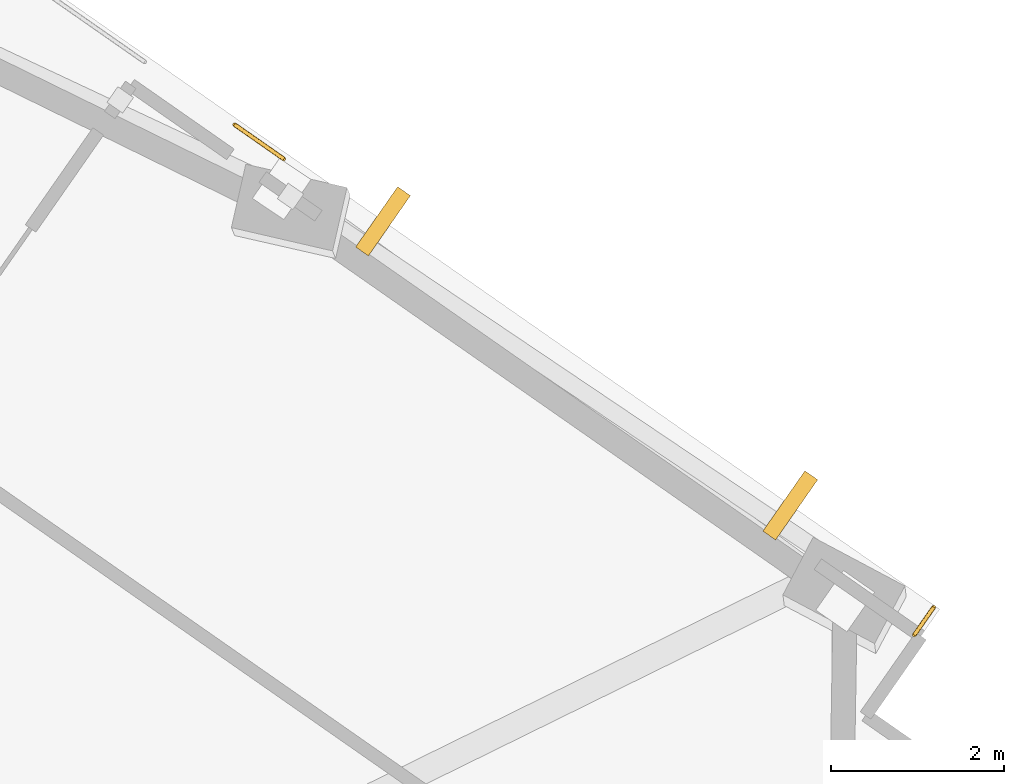
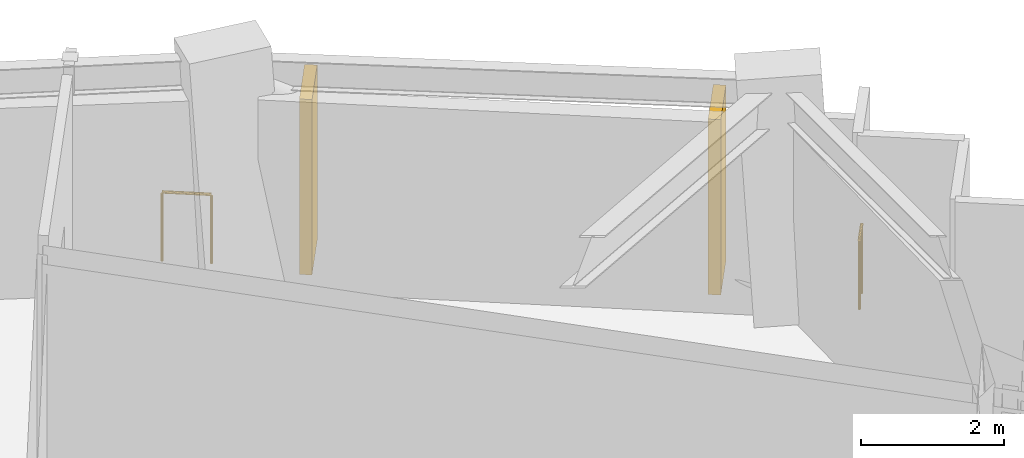
# One storey, part 12 of 12: 2 railings, 2 shading devices.
"""IFC4 building model written with IfcOpenShell, lengths in metres."""

import ifcopenshell
import ifcopenshell.guid

model = None  # the IFC model being written
_history = None  # IfcOwnerHistory: only IFC2X3 demands one
_inside = {}  # id of a spatial element -> (the spatial element, [elements in it])
_under = {}  # id of a project, library or spatial element -> (it, [spatial elements below it])
_declared = {}  # id of a project -> (the project, [libraries it declares])
_typed = {}  # id of a type object -> (the type object, [elements of that type])
_made_of = {}  # id of a material, layer set ... -> (it, [elements and type objects made of it])


def new_model(schema):
    """Start an empty IFC model of exactly this schema.

    Asked for "IFC4X3", IfcOpenShell would pick the latest addendum, in which some entities
    have other attributes; the version numbers below select the first issue.
    IFC2X3 requires an IfcOwnerHistory on every rooted entity: one is made here for all.
    """
    global model, _history
    if schema == "IFC4X3":
        model = ifcopenshell.file(schema_version=(4, 3, 0, 0))
    else:
        model = ifcopenshell.file(schema=schema)
    _inside.clear()
    _under.clear()
    _declared.clear()
    _typed.clear()
    _made_of.clear()
    _history = None
    if model.schema == "IFC2X3":
        org = make("IfcOrganization", Name="unknown")
        user = make(
            "IfcPersonAndOrganization",
            ThePerson=make("IfcPerson", FamilyName="unknown"),
            TheOrganization=org,
        )
        app = make(
            "IfcApplication",
            ApplicationDeveloper=org,
            Version="unknown",
            ApplicationFullName="unknown",
            ApplicationIdentifier="unknown",
        )
        _history = make(
            "IfcOwnerHistory",
            OwningUser=user,
            OwningApplication=app,
            ChangeAction="ADDED",
            CreationDate=0,
        )
    return model


def make(cls, **values):
    """One entity of the class cls with the attributes given. An attribute that is None is left unset."""
    return model.create_entity(
        cls, **{name: value for name, value in values.items() if value is not None}
    )


def rooted(cls, **values):
    """An entity with a GlobalId (a new one), such as an element, a storey or a relation."""
    return make(cls, GlobalId=ifcopenshell.guid.new(), OwnerHistory=_history, **values)


def si_unit(unit_type, name, prefix=None):
    """IfcSIUnit, for example si_unit("LENGTHUNIT", "METRE", prefix="MILLI")."""
    return make("IfcSIUnit", UnitType=unit_type, Prefix=prefix, Name=name)


def assignment(units):
    """IfcUnitAssignment: the units of a project."""
    return None if units is None else make("IfcUnitAssignment", Units=units)


def point(xyz):
    """IfcCartesianPoint."""
    return None if xyz is None else make("IfcCartesianPoint", Coordinates=xyz)


def direction(xyz):
    """IfcDirection."""
    return None if xyz is None else make("IfcDirection", DirectionRatios=xyz)


def frame(location, z_axis=None, x_axis=None):
    """IfcAxis2Placement3D, a coordinate frame: its origin and axes. An axis left out is left unset."""
    return make(
        "IfcAxis2Placement3D",
        Location=point(location),
        Axis=direction(z_axis),
        RefDirection=direction(x_axis),
    )


def frame_2d(location, x_axis=None):
    """IfcAxis2Placement2D, a coordinate frame in the plane: its origin and x axis."""
    return make(
        "IfcAxis2Placement2D", Location=point(location), RefDirection=direction(x_axis)
    )


def origin():
    """The frame at (0, 0, 0) with its axes left unset."""
    return frame((0.0, 0.0, 0.0))


def origin_2d():
    """The frame at (0, 0) in the plane with its x axis left unset."""
    return frame_2d((0.0, 0.0))


def place(relative_to, where):
    """IfcLocalPlacement: puts the frame where relative to a parent placement (None: the world)."""
    return make(
        "IfcLocalPlacement", PlacementRelTo=relative_to, RelativePlacement=where
    )


def context(
    kind, dimensions, precision=None, world=None, true_north=None, identifier=None
):
    """IfcGeometricRepresentationContext, for example the 3D "Model" context."""
    return make(
        "IfcGeometricRepresentationContext",
        ContextIdentifier=identifier,
        ContextType=kind,
        CoordinateSpaceDimension=dimensions,
        Precision=precision,
        WorldCoordinateSystem=world,
        TrueNorth=true_north,
    )


def subcontext(parent, identifier, kind, view, scale=None):
    """IfcGeometricRepresentationSubContext, for example "Body" below "Model"."""
    return make(
        "IfcGeometricRepresentationSubContext",
        ContextIdentifier=identifier,
        ContextType=kind,
        ParentContext=parent,
        TargetScale=scale,
        TargetView=view,
    )


def project(units=None, contexts=None):
    """IfcProject with its units and contexts."""
    return rooted(
        "IfcProject",
        Name="project",
        RepresentationContexts=contexts,
        UnitsInContext=assignment(units),
    )


def spatial(cls, under=None, at=None, **own):
    """A site, building, storey or space (cls), placed at a placement, below another one or the project."""
    s = rooted(cls, ObjectPlacement=at, **own)
    if under is not None:
        _under.setdefault(under.id(), (under, []))[1].append(s)
    return s


def profile(cls, at=None, kind="AREA", **sizes):
    """A parametric profile (cls). Its sizes go by their IFC names, for example OverallWidth=200.0."""
    return make(cls, ProfileType=kind, Position=at, **sizes)


def rectangle(**sizes):
    """IfcRectangleProfileDef."""
    return profile("IfcRectangleProfileDef", **sizes)


def circle(**sizes):
    """IfcCircleProfileDef."""
    return profile("IfcCircleProfileDef", **sizes)


def extrude(swept, where, along, depth):
    """IfcExtrudedAreaSolid: the profile swept, set in the frame where, extruded along a direction by depth."""
    return make(
        "IfcExtrudedAreaSolid",
        SweptArea=swept,
        Position=where,
        ExtrudedDirection=direction(along),
        Depth=depth,
    )


def shape(context_of_items, identifier, shape_type, items):
    """IfcShapeRepresentation: the items that make up one representation, for example the "Body"."""
    return make(
        "IfcShapeRepresentation",
        ContextOfItems=context_of_items,
        RepresentationIdentifier=identifier,
        RepresentationType=shape_type,
        Items=items,
    )


def material(Name=None, Category=None):
    """IfcMaterial."""
    return make("IfcMaterial", Name=Name, Category=Category)


def layer(
    of_material, thickness, ventilated=None, Name=None, Category=None, Priority=None
):
    """IfcMaterialLayer: one layer of a wall or slab, of a material (None: an air gap)."""
    return make(
        "IfcMaterialLayer",
        Material=of_material,
        LayerThickness=thickness,
        IsVentilated=ventilated,
        Name=Name,
        Category=Category,
        Priority=Priority,
    )


def layer_set(layers, Name=None):
    """IfcMaterialLayerSet."""
    return make("IfcMaterialLayerSet", MaterialLayers=layers, LayerSetName=Name)


def made_of(thing, what):
    """Note that an element or type object is made of a material, layer set ...; save() writes the relation."""
    if what is not None:
        _made_of.setdefault(what.id(), (what, []))[1].append(thing)
    return thing


def type_object(cls, material=None, **own):
    """A type object (cls), such as IfcWallType, which elements share."""
    return made_of(rooted(cls, **own), material)


def element(
    cls,
    number,
    at=None,
    inside=None,
    cuts=None,
    type_object=None,
    material=None,
    context=None,
    identifier="Body",
    shape_type=None,
    held_by="IfcProductDefinitionShape",
    body=None,
    shapes=None,
    **own,
):
    """One element of the class cls, such as IfcWall. Its Tag is "e" and its number.

    at: its placement. inside: the storey or other place that contains it. cuts: it is an
    opening in that element (IfcRelVoidsElement). A single representation is given by context,
    identifier, shape_type and body (its items); several are given by shapes. held_by: the class
    of the entity that holds the representations. save() writes the other relations.
    """
    e = rooted(cls, Tag="e%d" % number, ObjectPlacement=at, **own)
    if body is not None:
        shapes = [shape(context, identifier, shape_type, body)]
    if shapes is not None:
        e.Representation = make(held_by, Representations=shapes)
    if inside is not None:
        _inside.setdefault(inside.id(), (inside, []))[1].append(e)
    if cuts is not None:
        rooted(
            "IfcRelVoidsElement", RelatingBuildingElement=cuts, RelatedOpeningElement=e
        )
    if type_object is not None:
        _typed.setdefault(type_object.id(), (type_object, []))[1].append(e)
    return made_of(e, material)


def aggregate(whole, parts):
    """IfcRelAggregates: a whole, such as a stair, and the parts it consists of."""
    return rooted("IfcRelAggregates", RelatingObject=whole, RelatedObjects=parts)


def save(model, path):
    """Write the relations noted so far, then the file.

    IfcRelAggregates (storeys below a building ...), IfcRelContainedInSpatialStructure (elements
    in a storey), IfcRelDefinesByType, IfcRelAssociatesMaterial and IfcRelDeclares: one each for
    every whole, place, type object, material and project.
    """
    for whole, parts in _under.values():
        aggregate(whole, parts)
    for where, things in _inside.values():
        rooted(
            "IfcRelContainedInSpatialStructure",
            RelatedElements=things,
            RelatingStructure=where,
        )
    for kind, things in _typed.values():
        rooted("IfcRelDefinesByType", RelatedObjects=things, RelatingType=kind)
    for what, things in _made_of.values():
        rooted("IfcRelAssociatesMaterial", RelatedObjects=things, RelatingMaterial=what)
    for by, libraries in _declared.values():
        rooted("IfcRelDeclares", RelatingContext=by, RelatedDefinitions=libraries)
    model.write(path)


model = new_model("IFC4")

# Units and contexts
model_context = context("Model", 3, precision=1e-05, world=origin(), true_north=direction((0.0, 1.0)))
body_context = subcontext(model_context, "Body", "Model", "MODEL_VIEW")
ifc_project = project(units=[si_unit("LENGTHUNIT", "METRE"), si_unit("AREAUNIT", "SQUARE_METRE"), si_unit("VOLUMEUNIT", "CUBIC_METRE"), si_unit("PLANEANGLEUNIT", "RADIAN"), si_unit("MASSUNIT", "GRAM", prefix="KILO")], contexts=[model_context])

# Site, building, storey
site_placement = place(None, origin())
site = spatial("IfcSite", under=ifc_project, at=site_placement, CompositionType="ELEMENT")
building_placement = place(site_placement, origin())
building = spatial("IfcBuilding", under=site, at=building_placement, Name="Gaonmaruhae Medical Tower", CompositionType="ELEMENT")
storey_placement = place(building_placement, frame((0.0, 0.0, 259.199951171875)))
storey = spatial("IfcBuildingStorey", under=building, at=storey_placement, Name="L62", CompositionType="ELEMENT", Elevation=259.199951171875)

# Railings
ifc_material_1 = material(Name="Stainless steel 316L and laminated safety glass", Category="steel")
ifc_layer = layer(ifc_material_1, 0.080078125)
ifc_layer_set = layer_set([ifc_layer], Name="Stainless steel 316L and laminated safety glass")
railing_type = type_object("IfcRailingType", Name="GD-120 Outdoor Terrace Safety Glass & Steel Balustrade", PredefinedType="BALUSTRADE", material=ifc_layer_set)
railing_1_placement = place(storey_placement, frame((51.519287109375, 33.185791015625, 0.0)))
element("IfcRailing", 1, at=railing_1_placement, inside=storey, type_object=railing_type, Name="L62 Perimeter Slab Edge Safety Balustrade 06", PredefinedType="BALUSTRADE", context=body_context, shape_type="SweptSolid", body=[
    extrude(circle(Radius=0.02392578125, at=origin_2d()), frame((0.0, 0.0, 1.17578125), z_axis=(0.820038870107, -0.57230782933, 0.0), x_axis=(0.57230782933, 0.820038870107, 0.0)), (0.0, 0.0, 1.0), 0.69580078125),
    extrude(circle(Radius=0.02099609375, at=origin_2d()), origin(), (0.0, 0.0, 1.0), 1.15185546875),
    extrude(circle(Radius=0.02099609375, at=origin_2d()), frame((0.570556640625, -0.398193359375, 0.0)), (0.0, 0.0, 1.0), 1.15185546875),
])
railing_2_placement = place(storey_placement, frame((59.611083984375, 27.601806640625, 0.0)))
element("IfcRailing", 2, at=railing_2_placement, inside=storey, type_object=railing_type, Name="L62 Perimeter Slab Edge Safety Balustrade 07", PredefinedType="BALUSTRADE", context=body_context, shape_type="SweptSolid", body=[
    extrude(circle(Radius=0.02392578125, at=origin_2d()), frame((0.0, 0.0, 1.17578125), z_axis=(-0.572336944093, -0.82001855005, 0.0), x_axis=(0.82001855005, -0.572336944093, 0.0)), (0.0, 0.0, 1.0), 0.393310546875),
    extrude(circle(Radius=0.02099609375, at=origin_2d()), origin(), (0.0, 0.0, 1.0), 1.15185546875),
    extrude(circle(Radius=0.02099609375, at=origin_2d()), frame((-0.22509765625, -0.322509765625, 0.0)), (0.0, 0.0, 1.0), 1.15185546875),
])

# Shading devices
ifc_material_2 = material(Name="Pigmented coral precast concrete C45/55", Category="concrete")
shading_device_type = type_object("IfcShadingDeviceType", Name="SD-FIN1 Tower Vertical Coral Precast Shading Fin", PredefinedType="USERDEFINED", material=ifc_material_2)
for number, where, z_axis, x_axis, name in (
    (3, (53.237548828125, 32.06640625, 0.132568359375), (0.0, 0.0, 1.0), (0.820151875874, -0.572145873446, 0.0), "L62 Vertical Coral Precast Shading Fin E01"),
    (4, (57.9501953125, 28.778564453125, 0.132568359375), (0.0, 0.0, 1.0), (0.820151875874, -0.572145873446, 0.0), "L62 Vertical Coral Precast Shading Fin E01B"),
):
    element("IfcShadingDevice", number, at=place(storey_placement, frame(where, z_axis=z_axis, x_axis=x_axis)), inside=storey, type_object=shading_device_type, Name=name, ObjectType="FIN", PredefinedType="USERDEFINED", context=body_context, shape_type="SweptSolid", body=[
        extrude(rectangle(XDim=0.179931640625, YDim=0.85009765625, at=origin_2d()), origin(), (0.0, 0.0, 1.0), 3.0),
    ])

save(model, "model.ifc")
